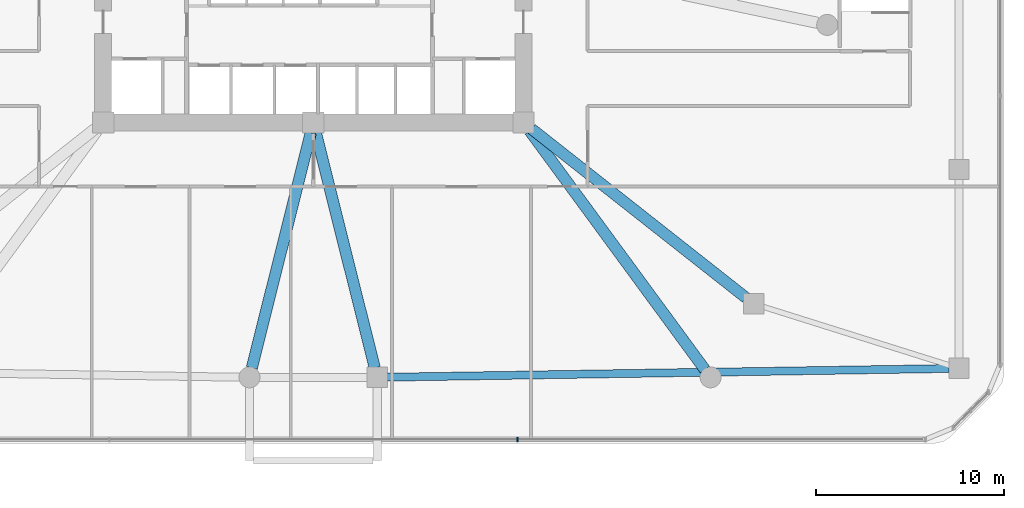
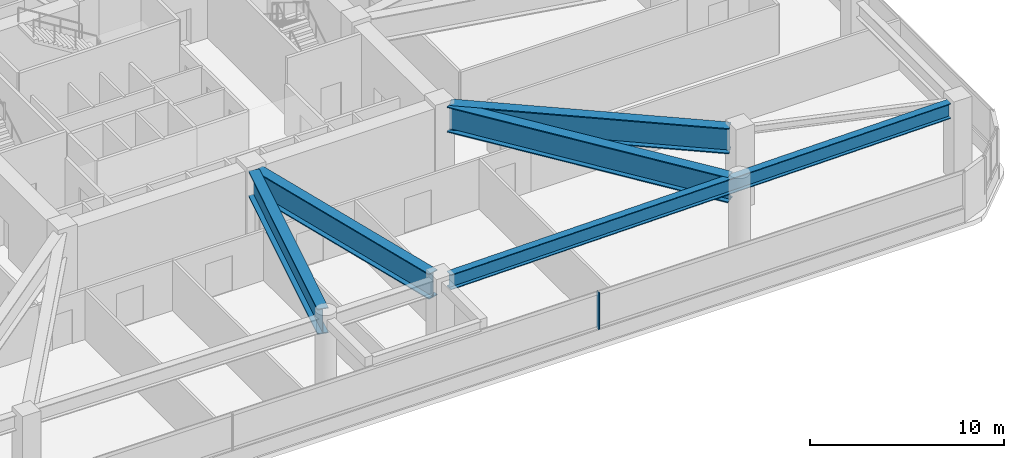
# One storey, part 4 of 21: 5 beams, 1 member, 1 element without a shape of its own.
"""IFC4 building model written with IfcOpenShell, lengths in metres."""

from ifc_helpers import new_model, si_unit, derived_unit, direction, frame, origin, origin_2d, place, context, subcontext, project, spatial, rectangle, i_section, extrude, material, material_profile, profile_set, type_object, element, aggregate, save


model = new_model("IFC4")

# Units and contexts
model_context = context("Model", 3, precision=1e-05, world=origin(), true_north=direction((0.0, 1.0)))
body_context = subcontext(model_context, "Body", "Model", "MODEL_VIEW")
ifc_project = project(units=[si_unit("LENGTHUNIT", "METRE"), si_unit("AREAUNIT", "SQUARE_METRE"), si_unit("VOLUMEUNIT", "CUBIC_METRE"), si_unit("PLANEANGLEUNIT", "RADIAN"), si_unit("MASSUNIT", "GRAM", prefix="KILO"), derived_unit("THERMALTRANSMITTANCEUNIT", [(si_unit("POWERUNIT", "WATT"), 1), (si_unit("LENGTHUNIT", "METRE"), -2), (si_unit("THERMODYNAMICTEMPERATUREUNIT", "KELVIN"), -1)])], contexts=[model_context])

# Site, building, storey
site_placement = place(None, origin())
site = spatial("IfcSite", under=ifc_project, at=site_placement, CompositionType="ELEMENT")
building_placement = place(site_placement, origin())
building = spatial("IfcBuilding", under=site, at=building_placement, Name="Koralith Skygarden Medical Center", CompositionType="ELEMENT")
storey_placement = place(building_placement, frame((0.0, 0.0, 18.89990234375)))
storey = spatial("IfcBuildingStorey", under=building, at=storey_placement, Name="L04", CompositionType="ELEMENT", Elevation=18.89990234375)

# Curtain wall, member
ifc_material_1 = material(Name="Clear Laminated Glass", Category="glass")
curtain_wall_type = type_object("IfcCurtainWallType", Name="CW-1 Transit & Podium Acoustic Curtain Wall", PredefinedType="NOTDEFINED", material=ifc_material_1)
curtain_wall_placement = place(storey_placement, origin())
curtain_wall = element("IfcCurtainWall", 1, at=curtain_wall_placement, inside=storey, type_object=curtain_wall_type, Name="Curtain Wall CW-L04-S", PredefinedType="NOTDEFINED")
ifc_material_2 = material(Name="Aluminium 6063-T6", Category="aluminium")
ifc_material_profile_1 = material_profile(ifc_material_2, rectangle(XDim=0.068115234375, YDim=0.239990234375, at=origin_2d()), Name="MUL68X240")
ifc_profile_set_1 = profile_set([ifc_material_profile_1], Name="Aluminium 6063-T6")
member_type = type_object("IfcMemberType", Name="CW-1 Extruded Mullion 68x240", PredefinedType="MULLION", material=ifc_profile_set_1)
member_placement = place(storey_placement, frame((47.8740234375, 0.419921875, 0.85009765625), z_axis=(0.0, 0.0, 1.0), x_axis=(1.0, 0.0, 0.0)))
member = element("IfcMember", 2, at=member_placement, type_object=member_type, Name="CW-L04-S Mullion 3", PredefinedType="MULLION", context=body_context, shape_type="SweptSolid", body=[
    extrude(rectangle(XDim=0.068115234375, YDim=0.239990234375, at=origin_2d()), origin(), (0.0, 0.0, 1.0), 2.300048828125),
])
aggregate(curtain_wall, [member])

# Beams
ifc_material_3 = material(Name="Steel ASTM A992 Grade 50", Category="steel")
ifc_material_profile_2 = material_profile(ifc_material_3, i_section(OverallWidth=0.423095703125, OverallDepth=0.947998046875, WebThickness=0.02392578125, FlangeThickness=0.042724609375, at=origin_2d()), Name="W36X302")
ifc_profile_set_2 = profile_set([ifc_material_profile_2], Name="Steel ASTM A992 Grade 50")
beam_type_1 = type_object("IfcBeamType", Name="Podium Concourse Girder W36X302", PredefinedType="BEAM", material=ifc_profile_set_2)
beam_1_placement = place(storey_placement, frame((40.919921875, 3.72802734375, 4.2861328125), z_axis=(0.999880161393, 0.015481048165, 0.0), x_axis=(-0.015481048165, 0.999880161393, 0.0)))
element("IfcBeam", 3, at=beam_1_placement, inside=storey, type_object=beam_type_1, Name="L04 Podium Perimeter Beam PB-04", PredefinedType="BEAM", context=body_context, shape_type="SweptSolid", body=[
    extrude(i_section(OverallWidth=0.423095703125, OverallDepth=0.947998046875, WebThickness=0.02392578125, FlangeThickness=0.042724609375, at=origin_2d()), origin(), (0.0, 0.0, 1.0), 29.963623046875),
])
ifc_material_profile_3 = material_profile(ifc_material_3, i_section(OverallWidth=0.60009765625, OverallDepth=1.60009765625, WebThickness=0.031982421875, FlangeThickness=0.06005859375, at=origin_2d()), Name="BG1600X600X60X32")
ifc_profile_set_3 = profile_set([ifc_material_profile_3], Name="Steel ASTM A992 Grade 50")
beam_type_2 = type_object("IfcBeamType", Name="Podium Transfer Girder BG1600", PredefinedType="USERDEFINED", material=ifc_profile_set_3)
for number, where, z_axis, x_axis, name in (
    (4, (36.864013671875, 16.757080078125, 3.960205078125), (-0.242877971824, -0.970056849263, 0.0), (0.970056849263, -0.242877971824, 0.0), "L04 Podium Radial Girder PRG-04"),
    (5, (37.135986328125, 16.757080078125, 3.960205078125), (0.242877971824, -0.970056849263, 0.0), (0.970056849263, 0.242877971824, 0.0), "L04 Podium Radial Girder PRG-05"),
):
    element("IfcBeam", number, at=place(storey_placement, frame(where, z_axis=z_axis, x_axis=x_axis)), inside=storey, type_object=beam_type_2, Name=name, ObjectType="TRANSFER GIRDER", PredefinedType="USERDEFINED", context=body_context, shape_type="SweptSolid", body=[
        extrude(i_section(OverallWidth=0.60009765625, OverallDepth=1.60009765625, WebThickness=0.031982421875, FlangeThickness=0.06005859375, at=origin_2d()), origin(), (0.0, 0.0, 1.0), 12.919921875),
    ])
beam_2_placement = place(storey_placement, frame((48.531005859375, 16.84912109375, 3.960205078125), z_axis=(0.59170530555, -0.806154347122, 0.0), x_axis=(0.806154347122, 0.59170530555, 0.0)))
element("IfcBeam", 6, at=beam_2_placement, inside=storey, type_object=beam_type_2, Name="L04 Podium Radial Girder PRG-06", ObjectType="TRANSFER GIRDER", PredefinedType="USERDEFINED", context=body_context, shape_type="SweptSolid", body=[
    extrude(i_section(OverallWidth=0.60009765625, OverallDepth=1.60009765625, WebThickness=0.031982421875, FlangeThickness=0.06005859375, at=origin_2d()), origin(), (0.0, 0.0, 1.0), 15.766357421875),
])
beam_3_placement = place(storey_placement, frame((48.639892578125, 16.952880859375, 3.960205078125), z_axis=(0.785504791859, -0.618855574401, 0.0), x_axis=(0.618855574401, 0.785504791859, 0.0)))
element("IfcBeam", 7, at=beam_3_placement, inside=storey, type_object=beam_type_2, Name="L04 Podium Radial Girder PRG-07", ObjectType="TRANSFER GIRDER", PredefinedType="USERDEFINED", context=body_context, shape_type="SweptSolid", body=[
    extrude(i_section(OverallWidth=0.60009765625, OverallDepth=1.60009765625, WebThickness=0.031982421875, FlangeThickness=0.06005859375, at=origin_2d()), origin(), (0.0, 0.0, 1.0), 14.5283203125),
])

save(model, "model.ifc")
